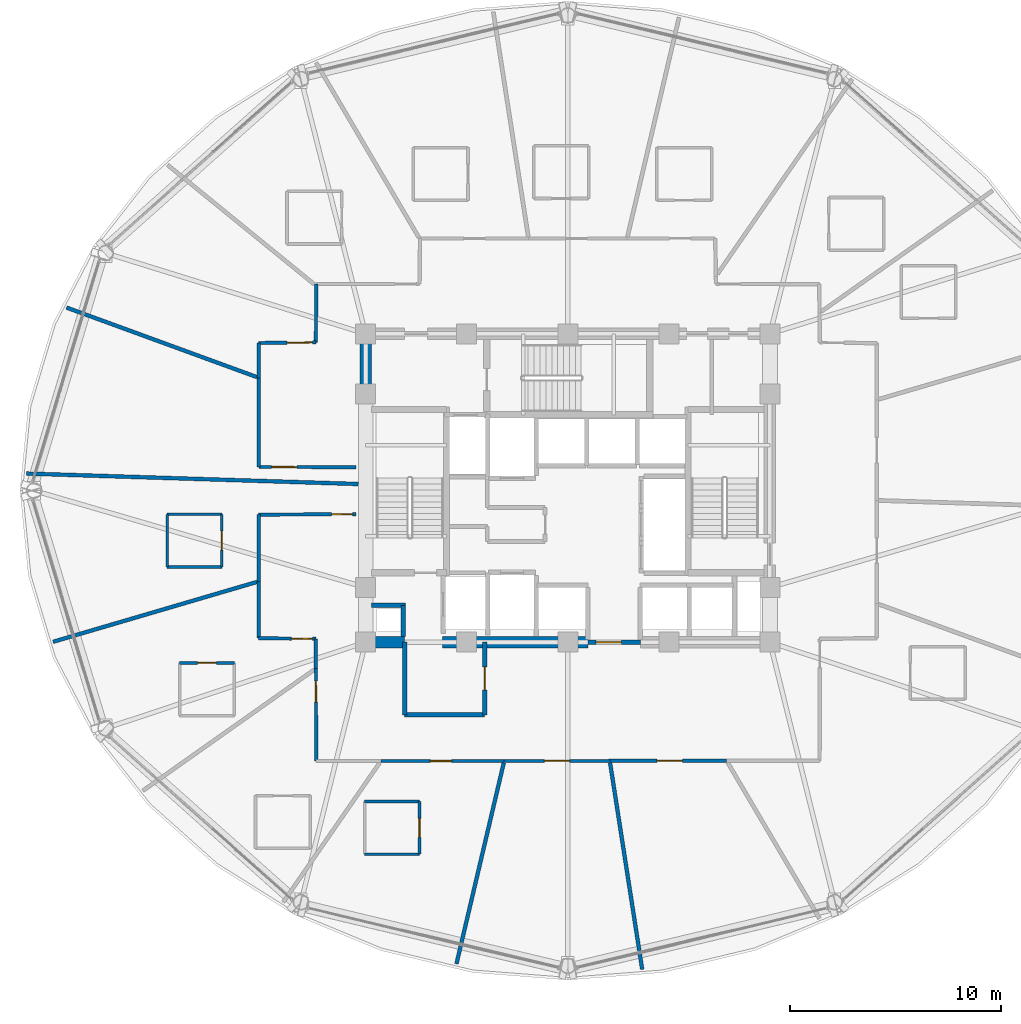
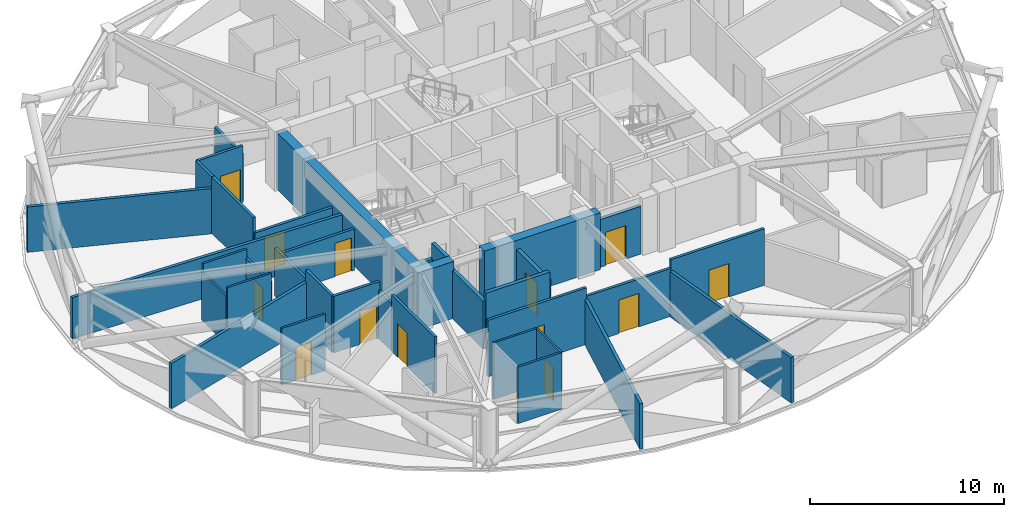
# One storey, part 23 of 30: 36 walls, 13 doors, 13 openings.
"""IFC4 building model written with IfcOpenShell, lengths in metres."""

from ifc_helpers import new_model, si_unit, direction, frame, frame_2d, origin, place, context, subcontext, project, spatial, rectangle, extrude, material, layer, layer_set, type_object, element, fill, save


model = new_model("IFC4")

# Units and contexts
model_context = context("Model", 3, precision=1e-05, world=origin(), true_north=direction((0.0, 1.0)))
body_context = subcontext(model_context, "Body", "Model", "MODEL_VIEW")
ifc_project = project(units=[si_unit("LENGTHUNIT", "METRE"), si_unit("AREAUNIT", "SQUARE_METRE"), si_unit("VOLUMEUNIT", "CUBIC_METRE"), si_unit("PLANEANGLEUNIT", "RADIAN"), si_unit("MASSUNIT", "GRAM", prefix="KILO")], contexts=[model_context])

# Site, building, storey
site_placement = place(None, origin())
site = spatial("IfcSite", under=ifc_project, at=site_placement, CompositionType="ELEMENT")
building_placement = place(site_placement, origin())
building = spatial("IfcBuilding", under=site, at=building_placement, Name="Vantalir Tower", CompositionType="ELEMENT")
storey_placement = place(building_placement, frame((0.0, 0.0, 119.699951171875)))
storey = spatial("IfcBuildingStorey", under=building, at=storey_placement, Name="L29", CompositionType="ELEMENT", Elevation=119.699951171875)

# Walls
ifc_material_1 = material(Name="Moisture-resistant en-suite partition", Category="gypsum")
ifc_layer_1 = layer(ifc_material_1, 0.125)
ifc_layer_set_1 = layer_set([ifc_layer_1], Name="Moisture-resistant en-suite partition")
wall_type_1 = type_object("IfcWallType", Name="WL-BATH-125", PredefinedType="PARTITIONING", material=ifc_layer_set_1)
for number, where, z_axis, x_axis, name in (
    (1, (12.469970703125, 21.3740234375, 0.0), (0.0, 0.0, 1.0), (1.0, 0.0, 0.0), "L29 En-suite 09 South Wall"),
    (2, (12.469970703125, 23.8740234375, 0.0), (0.0, 0.0, 1.0), (1.0, 0.0, 0.0), "L29 En-suite 09 North Wall"),
):
    element("IfcWall", number, at=place(storey_placement, frame(where, z_axis=z_axis, x_axis=x_axis)), inside=storey, type_object=wall_type_1, Name=name, PredefinedType="PARTITIONING", context=body_context, shape_type="SweptSolid", body=[
        extrude(rectangle(XDim=2.60009765625, YDim=0.125, at=frame_2d((1.300048828125, 0.0))), origin(), (0.0, 0.0, 1.0), 3.550048828125),
    ])
wall_1_placement = place(storey_placement, frame((12.469970703125, 21.3740234375, 0.0), z_axis=(0.0, 0.0, 1.0), x_axis=(0.0, 1.0, 0.0)))
element("IfcWall", 3, at=wall_1_placement, inside=storey, type_object=wall_type_1, Name="L29 En-suite 09 West Wall", PredefinedType="PARTITIONING", context=body_context, shape_type="SweptSolid", body=[
    extrude(rectangle(XDim=2.5, YDim=0.125, at=frame_2d((1.25, 0.0))), origin(), (0.0, 0.0, 1.0), 3.006103515625),
])

# Wall, opening, door
wall_2_placement = place(storey_placement, frame((15.070068359375, 21.3740234375, 0.0), z_axis=(0.0, 0.0, 1.0), x_axis=(0.0, 1.0, 0.0)))
wall_2 = element("IfcWall", 4, at=wall_2_placement, inside=storey, type_object=wall_type_1, Name="L29 En-suite 09 East Wall", PredefinedType="PARTITIONING", context=body_context, shape_type="SweptSolid", body=[
    extrude(rectangle(XDim=2.5, YDim=0.125, at=frame_2d((1.25, 0.0))), origin(), (0.0, 0.0, 1.0), 3.006103515625),
])
opening_1_placement = place(wall_2_placement, frame((0.800048828125, 0.0, 0.0)))
opening_1 = element("IfcOpeningElement", 5, at=opening_1_placement, cuts=wall_2, Name="Opening D-WC", PredefinedType="OPENING", context=body_context, shape_type="SweptSolid", body=[
    extrude(rectangle(XDim=0.89990234375, YDim=2.10009765625, at=frame_2d((0.449951171875, 1.050048828125))), frame((0.0, 0.072509765625, 0.0), z_axis=(0.0, -1.0, 0.0), x_axis=(1.0, 0.0, 0.0)), (0.0, 0.0, 1.0), 0.14501953125),
])
ifc_material_2 = material(Name="Moisture-resistant hardwood door", Category="wood")
door_type_1 = type_object("IfcDoorType", Name="DR-ENSUITE-900", OperationType="NOTDEFINED", PredefinedType="DOOR", material=ifc_material_2)
door_1_placement = place(opening_1_placement, origin())
door_1 = element("IfcDoor", 6, at=door_1_placement, inside=storey, type_object=door_type_1, Name="L29 En-suite 09 Door", OperationType="SINGLE_SWING_LEFT", OverallHeight=2.10009765625, OverallWidth=0.89990234375, PredefinedType="DOOR", context=body_context, shape_type="SweptSolid", body=[
    extrude(rectangle(XDim=0.89990234375, YDim=2.10009765625, at=frame_2d((0.449951171875, 1.050048828125))), frame((0.0, 0.02490234375, 0.0), z_axis=(0.0, -1.0, 0.0), x_axis=(1.0, 0.0, 0.0)), (0.0, 0.0, 1.0), 0.050048828125),
])
fill(opening_1, door_1)

wall_3_placement = place(storey_placement, frame((13.06591796875, 16.81689453125, 0.0), z_axis=(0.0, 0.0, 1.0), x_axis=(1.0, 0.0, 0.0)))
wall_3 = element("IfcWall", 7, at=wall_3_placement, inside=storey, type_object=wall_type_1, Name="L29 En-suite 10 North Wall", PredefinedType="PARTITIONING", context=body_context, shape_type="SweptSolid", body=[
    extrude(rectangle(XDim=2.60009765625, YDim=0.125, at=frame_2d((1.300048828125, 0.0))), origin(), (0.0, 0.0, 1.0), 3.550048828125),
])
opening_2_placement = place(wall_3_placement, frame((0.85009765625, 0.0, 0.0)))
opening_2 = element("IfcOpeningElement", 8, at=opening_2_placement, cuts=wall_3, Name="Opening D-WC", PredefinedType="OPENING", context=body_context, shape_type="SweptSolid", body=[
    extrude(rectangle(XDim=0.89990234375, YDim=2.10009765625, at=frame_2d((0.449951171875, 1.050048828125))), frame((0.0, 0.072509765625, 0.0), z_axis=(0.0, -1.0, 0.0), x_axis=(1.0, 0.0, 0.0)), (0.0, 0.0, 1.0), 0.14501953125),
])
door_2_placement = place(opening_2_placement, frame((0.89990234375, 0.0, 0.0), z_axis=(0.0, 0.0, 1.0), x_axis=(-1.0, 0.0, 0.0)))
door_2 = element("IfcDoor", 9, at=door_2_placement, inside=storey, type_object=door_type_1, Name="L29 En-suite 10 Door", OperationType="SINGLE_SWING_RIGHT", OverallHeight=2.10009765625, OverallWidth=0.89990234375, PredefinedType="DOOR", context=body_context, shape_type="SweptSolid", body=[
    extrude(rectangle(XDim=0.89990234375, YDim=2.10009765625, at=frame_2d((0.449951171875, 1.050048828125))), frame((0.0, 0.02490234375, 0.0), z_axis=(0.0, -1.0, 0.0), x_axis=(1.0, 0.0, 0.0)), (0.0, 0.0, 1.0), 0.050048828125),
])
fill(opening_2, door_2)

# Walls
for number, where, z_axis, x_axis, name in (
    (10, (21.85693359375, 7.738037109375, 0.0), (0.0, 0.0, 1.0), (1.0, 0.0, 0.0), "L29 En-suite 12 South Wall"),
    (11, (21.85693359375, 10.238037109375, 0.0), (0.0, 0.0, 1.0), (1.0, 0.0, 0.0), "L29 En-suite 12 North Wall"),
):
    element("IfcWall", number, at=place(storey_placement, frame(where, z_axis=z_axis, x_axis=x_axis)), inside=storey, type_object=wall_type_1, Name=name, PredefinedType="PARTITIONING", context=body_context, shape_type="SweptSolid", body=[
        extrude(rectangle(XDim=2.60009765625, YDim=0.125, at=frame_2d((1.300048828125, 0.0))), origin(), (0.0, 0.0, 1.0), 3.550048828125),
    ])

# Wall, opening, door
wall_4_placement = place(storey_placement, frame((24.45703125, 7.738037109375, 0.0), z_axis=(0.0, 0.0, 1.0), x_axis=(0.0, 1.0, 0.0)))
wall_4 = element("IfcWall", 12, at=wall_4_placement, inside=storey, type_object=wall_type_1, Name="L29 En-suite 12 East Wall", PredefinedType="PARTITIONING", context=body_context, shape_type="SweptSolid", body=[
    extrude(rectangle(XDim=2.5, YDim=0.125, at=frame_2d((1.25, 0.0))), origin(), (0.0, 0.0, 1.0), 3.550048828125),
])
opening_3_placement = place(wall_4_placement, frame((0.800048828125, 0.0, 0.0)))
opening_3 = element("IfcOpeningElement", 13, at=opening_3_placement, cuts=wall_4, Name="Opening D-WC", PredefinedType="OPENING", context=body_context, shape_type="SweptSolid", body=[
    extrude(rectangle(XDim=0.89990234375, YDim=2.10009765625, at=frame_2d((0.449951171875, 1.050048828125))), frame((0.0, 0.072509765625, 0.0), z_axis=(0.0, -1.0, 0.0), x_axis=(1.0, 0.0, 0.0)), (0.0, 0.0, 1.0), 0.14501953125),
])
door_3_placement = place(opening_3_placement, origin())
door_3 = element("IfcDoor", 14, at=door_3_placement, inside=storey, type_object=door_type_1, Name="L29 En-suite 12 Door", OperationType="SINGLE_SWING_RIGHT", OverallHeight=2.10009765625, OverallWidth=0.89990234375, PredefinedType="DOOR", context=body_context, shape_type="SweptSolid", body=[
    extrude(rectangle(XDim=0.89990234375, YDim=2.10009765625, at=frame_2d((0.449951171875, 1.050048828125))), frame((0.0, 0.02490234375, 0.0), z_axis=(0.0, -1.0, 0.0), x_axis=(1.0, 0.0, 0.0)), (0.0, 0.0, 1.0), 0.050048828125),
])
fill(opening_3, door_3)

# Walls
ifc_material_3 = material(Name="Concrete C60/75", Category="concrete")
ifc_layer_2 = layer(ifc_material_3, 0.550048828125)
ifc_layer_set_2 = layer_set([ifc_layer_2], Name="Concrete C60/75")
wall_type_2 = type_object("IfcWallType", Name="WL-CORE-550", PredefinedType="SHEAR", material=ifc_layer_set_2)
wall_5_placement = place(storey_placement, frame((21.625, 17.800048828125, 0.0), z_axis=(0.0, 0.0, 1.0), x_axis=(1.0, 0.0, 0.0)))
element("IfcWall", 15, at=wall_5_placement, inside=storey, type_object=wall_type_2, Name="L29 Core Shear Wall South-West", PredefinedType="SHEAR", context=body_context, shape_type="SweptSolid", body=[
    extrude(rectangle(XDim=2.125, YDim=0.550048828125, at=frame_2d((1.0625, 0.0))), origin(), (0.0, 0.0, 1.0), 3.570068359375),
])
wall_6_placement = place(storey_placement, frame((25.550048828125, 17.800048828125, 0.0), z_axis=(0.0, 0.0, 1.0), x_axis=(1.0, 0.0, 0.0)))
element("IfcWall", 16, at=wall_6_placement, inside=storey, type_object=wall_type_2, Name="L29 Core Shear Wall South-Mid", PredefinedType="SHEAR", context=body_context, shape_type="SweptSolid", body=[
    extrude(rectangle(XDim=6.89990234375, YDim=0.550048828125, at=frame_2d((3.449951171875, 0.0))), origin(), (0.0, 0.0, 1.0), 3.570068359375),
])
wall_7_placement = place(storey_placement, frame((21.89990234375, 18.074951171875, 0.0), z_axis=(0.0, 0.0, 1.0), x_axis=(0.0, 1.0, 0.0)))
element("IfcWall", 17, at=wall_7_placement, inside=storey, type_object=wall_type_2, Name="L29 Core Shear Wall West", PredefinedType="SHEAR", context=body_context, shape_type="SweptSolid", body=[
    extrude(rectangle(XDim=14.10009765625, YDim=0.550048828125, at=frame_2d((7.050048828125, 0.0))), origin(), (0.0, 0.0, 1.0), 3.570068359375),
])

# Wall, opening, door
ifc_material_4 = material(Name="Fire-rated hotel corridor acoustic partition", Category="gypsum")
ifc_layer_3 = layer(ifc_material_4, 0.159912109375)
ifc_layer_set_3 = layer_set([ifc_layer_3], Name="Fire-rated hotel corridor acoustic partition")
wall_type_3 = type_object("IfcWallType", Name="WL-CORR-160", PredefinedType="PARTITIONING", material=ifc_layer_set_3)
wall_8_placement = place(storey_placement, frame((21.445068359375, 26.114990234375, 0.0), z_axis=(0.0, 0.0, 1.0), x_axis=(-0.999997648793, 0.002168503919, 0.0)))
wall_8 = element("IfcWall", 18, at=wall_8_placement, inside=storey, type_object=wall_type_3, Name="L29 Corridor Partition 01", PredefinedType="PARTITIONING", context=body_context, shape_type="SweptSolid", body=[
    extrude(rectangle(XDim=4.615966796875, YDim=0.159912109375, at=frame_2d((2.30810546875, 0.0))), origin(), (0.0, 0.0, 1.0), 2.594970703125),
])
opening_4_placement = place(wall_8_placement, frame((2.81396484375, 0.0, 0.0)))
opening_4 = element("IfcOpeningElement", 19, at=opening_4_placement, cuts=wall_8, Name="Opening D-STE", PredefinedType="OPENING", context=body_context, shape_type="SweptSolid", body=[
    extrude(rectangle(XDim=1.199951171875, YDim=2.10009765625, at=frame_2d((0.60009765625, 1.050048828125))), frame((0.0, 0.08984375, 0.0), z_axis=(0.0, -1.0, 0.0), x_axis=(1.0, 0.0, 0.0)), (0.0, 0.0, 1.0), 0.179931640625),
])
ifc_material_5 = material(Name="Solid-core teak veneer suite entrance door", Category="wood")
door_type_2 = type_object("IfcDoorType", Name="DR-SUITE-ENTRY-1200", OperationType="NOTDEFINED", PredefinedType="DOOR", material=ifc_material_5)
door_4_placement = place(opening_4_placement, origin())
door_4 = element("IfcDoor", 20, at=door_4_placement, inside=storey, type_object=door_type_2, Name="L29 Executive Sky Boardroom 08 Door", OperationType="SINGLE_SWING_RIGHT", OverallHeight=2.10009765625, OverallWidth=1.199951171875, PredefinedType="DOOR", context=body_context, shape_type="SweptSolid", body=[
    extrude(rectangle(XDim=1.199951171875, YDim=2.10009765625, at=frame_2d((0.60009765625, 1.050048828125))), frame((0.0, 0.02490234375, 0.0), z_axis=(0.0, -1.0, 0.0), x_axis=(1.0, 0.0, 0.0)), (0.0, 0.0, 1.0), 0.050048828125),
])
fill(opening_4, door_4)

# Walls
wall_9_placement = place(storey_placement, frame((16.8291015625, 26.125, 0.0), z_axis=(0.0, 0.0, 1.0), x_axis=(-0.001210583076, 0.999999267244, 0.0)))
element("IfcWall", 21, at=wall_9_placement, inside=storey, type_object=wall_type_3, Name="L29 Corridor Partition 02", PredefinedType="PARTITIONING", context=body_context, shape_type="SweptSolid", body=[
    extrude(rectangle(XDim=4.235107421875, YDim=0.159912109375, at=frame_2d((2.11767578125, 0.0))), origin(), (0.0, 0.0, 1.0), 3.550048828125),
])
wall_10_placement = place(storey_placement, frame((16.823974609375, 30.360107421875, 0.0), z_axis=(0.0, 0.0, 1.0), x_axis=(-0.001182381674, 0.999999300987, 0.0)))
element("IfcWall", 22, at=wall_10_placement, inside=storey, type_object=wall_type_3, Name="L29 Corridor Partition 03", PredefinedType="PARTITIONING", context=body_context, shape_type="SweptSolid", body=[
    extrude(rectangle(XDim=1.65185546875, YDim=0.159912109375, at=frame_2d((0.825927734375, 0.0))), origin(), (0.0, 0.0, 1.0), 3.550048828125),
])

# Wall, opening, door
wall_11_placement = place(storey_placement, frame((16.822021484375, 32.011962890625, 0.0), z_axis=(0.0, 0.0, 1.0), x_axis=(0.99994645162, 0.010348617885, 0.0)))
wall_11 = element("IfcWall", 23, at=wall_11_placement, inside=storey, type_object=wall_type_3, Name="L29 Corridor Partition 04", PredefinedType="PARTITIONING", context=body_context, shape_type="SweptSolid", body=[
    extrude(rectangle(XDim=2.713134765625, YDim=0.159912109375, at=frame_2d((1.3564453125, 0.0))), origin(), (0.0, 0.0, 1.0), 3.550048828125),
])
opening_5_placement = place(wall_11_placement, frame((1.35302734375, 0.0, 0.0)))
opening_5 = element("IfcOpeningElement", 24, at=opening_5_placement, cuts=wall_11, Name="Opening D-STE", PredefinedType="OPENING", context=body_context, shape_type="SweptSolid", body=[
    extrude(rectangle(XDim=1.199951171875, YDim=2.10009765625, at=frame_2d((0.60009765625, 1.050048828125))), frame((0.0, 0.08984375, 0.0), z_axis=(0.0, -1.0, 0.0), x_axis=(1.0, 0.0, 0.0)), (0.0, 0.0, 1.0), 0.179931640625),
])
door_5_placement = place(opening_5_placement, origin())
door_5 = element("IfcDoor", 25, at=door_5_placement, inside=storey, type_object=door_type_2, Name="L29 Club Reading Lounge 07 Door", OperationType="SINGLE_SWING_LEFT", OverallHeight=2.10009765625, OverallWidth=1.199951171875, PredefinedType="DOOR", context=body_context, shape_type="SweptSolid", body=[
    extrude(rectangle(XDim=1.199951171875, YDim=2.10009765625, at=frame_2d((0.60009765625, 1.050048828125))), frame((0.0, 0.02490234375, 0.0), z_axis=(0.0, -1.0, 0.0), x_axis=(1.0, 0.0, 0.0)), (0.0, 0.0, 1.0), 0.050048828125),
])
fill(opening_5, door_5)

# Wall
wall_12_placement = place(storey_placement, frame((19.534912109375, 32.0400390625, 0.0), z_axis=(0.0, 0.0, 1.0), x_axis=(0.009071319538, 0.999958854734, 0.0)))
element("IfcWall", 26, at=wall_12_placement, inside=storey, type_object=wall_type_3, Name="L29 Corridor Partition 05", PredefinedType="PARTITIONING", context=body_context, shape_type="SweptSolid", body=[
    extrude(rectangle(XDim=2.77197265625, YDim=0.159912109375, at=frame_2d((1.385986328125, 0.0))), origin(), (0.0, 0.0, 1.0), 3.006103515625),
])

# Wall, opening, door
wall_13_placement = place(storey_placement, frame((39.049072265625, 12.166015625, 0.0), z_axis=(0.0, 0.0, 1.0), x_axis=(-0.999999860825, -0.000527588408, 0.0)))
wall_13 = element("IfcWall", 27, at=wall_13_placement, inside=storey, type_object=wall_type_3, Name="L29 Corridor Partition 24", PredefinedType="PARTITIONING", context=body_context, shape_type="SweptSolid", body=[
    extrude(rectangle(XDim=5.552978515625, YDim=0.159912109375, at=frame_2d((2.7763671875, 0.0))), origin(), (0.0, 0.0, 1.0), 3.550048828125),
])
opening_6_placement = place(wall_13_placement, frame((2.10205078125, 0.0, 0.0)))
opening_6 = element("IfcOpeningElement", 28, at=opening_6_placement, cuts=wall_13, Name="Opening D-STE", PredefinedType="OPENING", context=body_context, shape_type="SweptSolid", body=[
    extrude(rectangle(XDim=1.199951171875, YDim=2.10009765625, at=frame_2d((0.60009765625, 1.050048828125))), frame((0.0, 0.08984375, 0.0), z_axis=(0.0, -1.0, 0.0), x_axis=(1.0, 0.0, 0.0)), (0.0, 0.0, 1.0), 0.179931640625),
])
door_6_placement = place(opening_6_placement, origin())
door_6 = element("IfcDoor", 29, at=door_6_placement, inside=storey, type_object=door_type_2, Name="L29 Executive Sky Boardroom 14 Door", OperationType="SINGLE_SWING_RIGHT", OverallHeight=2.10009765625, OverallWidth=1.199951171875, PredefinedType="DOOR", context=body_context, shape_type="SweptSolid", body=[
    extrude(rectangle(XDim=1.199951171875, YDim=2.10009765625, at=frame_2d((0.60009765625, 1.050048828125))), frame((0.0, 0.02490234375, 0.0), z_axis=(0.0, -1.0, 0.0), x_axis=(1.0, 0.0, 0.0)), (0.0, 0.0, 1.0), 0.050048828125),
])
fill(opening_6, door_6)

wall_14_placement = place(storey_placement, frame((33.49609375, 12.1630859375, 0.0), z_axis=(0.0, 0.0, 1.0), x_axis=(-0.999999904022, -0.000438126723, 0.0)))
wall_14 = element("IfcWall", 30, at=wall_14_placement, inside=storey, type_object=wall_type_3, Name="L29 Corridor Partition 25", PredefinedType="PARTITIONING", context=body_context, shape_type="SweptSolid", body=[
    extrude(rectangle(XDim=5.01513671875, YDim=0.159912109375, at=frame_2d((2.507568359375, 0.0))), origin(), (0.0, 0.0, 1.0), 3.006103515625),
])
opening_7_placement = place(wall_14_placement, frame((1.907958984375, 0.0, 0.0)))
opening_7 = element("IfcOpeningElement", 31, at=opening_7_placement, cuts=wall_14, Name="Opening D-STE", PredefinedType="OPENING", context=body_context, shape_type="SweptSolid", body=[
    extrude(rectangle(XDim=1.199951171875, YDim=2.10009765625, at=frame_2d((0.60009765625, 1.050048828125))), frame((0.0, 0.08984375, 0.0), z_axis=(0.0, -1.0, 0.0), x_axis=(1.0, 0.0, 0.0)), (0.0, 0.0, 1.0), 0.179931640625),
])
door_7_placement = place(opening_7_placement, origin())
door_7 = element("IfcDoor", 32, at=door_7_placement, inside=storey, type_object=door_type_2, Name="L29 Club Reading Lounge 13 Door", OperationType="SINGLE_SWING_LEFT", OverallHeight=2.10009765625, OverallWidth=1.199951171875, PredefinedType="DOOR", context=body_context, shape_type="SweptSolid", body=[
    extrude(rectangle(XDim=1.199951171875, YDim=2.10009765625, at=frame_2d((0.60009765625, 1.050048828125))), frame((0.0, 0.02490234375, 0.0), z_axis=(0.0, -1.0, 0.0), x_axis=(1.0, 0.0, 0.0)), (0.0, 0.0, 1.0), 0.050048828125),
])
fill(opening_7, door_7)

wall_15_placement = place(storey_placement, frame((28.48095703125, 12.160888671875, 0.0), z_axis=(0.0, 0.0, 1.0), x_axis=(-0.999999874896, -0.000500208358, 0.0)))
wall_15 = element("IfcWall", 33, at=wall_15_placement, inside=storey, type_object=wall_type_3, Name="L29 Corridor Partition 26", PredefinedType="PARTITIONING", context=body_context, shape_type="SweptSolid", body=[
    extrude(rectangle(XDim=5.85693359375, YDim=0.159912109375, at=frame_2d((2.928466796875, 0.0))), origin(), (0.0, 0.0, 1.0), 3.550048828125),
])
opening_8_placement = place(wall_15_placement, frame((2.501953125, 0.0, 0.0)))
opening_8 = element("IfcOpeningElement", 34, at=opening_8_placement, cuts=wall_15, Name="Opening D-GUEST", PredefinedType="OPENING", context=body_context, shape_type="SweptSolid", body=[
    extrude(rectangle(XDim=1.0, YDim=2.10009765625, at=frame_2d((0.5, 1.050048828125))), frame((0.0, 0.08984375, 0.0), z_axis=(0.0, -1.0, 0.0), x_axis=(1.0, 0.0, 0.0)), (0.0, 0.0, 1.0), 0.179931640625),
])
ifc_material_6 = material(Name="Solid-core teak veneer acoustic fire door", Category="wood")
door_type_3 = type_object("IfcDoorType", Name="DR-GUEST-ENTRY-1000", OperationType="NOTDEFINED", PredefinedType="DOOR", material=ifc_material_6)
door_8_placement = place(opening_8_placement, origin())
door_8 = element("IfcDoor", 35, at=door_8_placement, inside=storey, type_object=door_type_3, Name="L29 Twin Queen Hotel Room 12 Door", OperationType="SINGLE_SWING_RIGHT", OverallHeight=2.10009765625, OverallWidth=1.0, PredefinedType="DOOR", context=body_context, shape_type="SweptSolid", body=[
    extrude(rectangle(XDim=1.0, YDim=2.10009765625, at=frame_2d((0.5, 1.050048828125))), frame((0.0, 0.02490234375, 0.0), z_axis=(0.0, -1.0, 0.0), x_axis=(1.0, 0.0, 0.0)), (0.0, 0.0, 1.0), 0.050048828125),
])
fill(opening_8, door_8)

wall_16_placement = place(storey_placement, frame((19.552978515625, 12.156982421875, 0.0), z_axis=(0.0, 0.0, 1.0), x_axis=(-0.003166298982, 0.999994987263, 0.0)))
wall_16 = element("IfcWall", 36, at=wall_16_placement, inside=storey, type_object=wall_type_3, Name="L29 Corridor Partition 28", PredefinedType="PARTITIONING", context=body_context, shape_type="SweptSolid", body=[
    extrude(rectangle(XDim=4.39501953125, YDim=0.159912109375, at=frame_2d((2.197509765625, 0.0))), origin(), (0.0, 0.0, 1.0), 3.550048828125),
])
opening_9_placement = place(wall_16_placement, frame((2.7958984375, 0.0, 0.0)))
opening_9 = element("IfcOpeningElement", 37, at=opening_9_placement, cuts=wall_16, Name="Opening D-GUEST", PredefinedType="OPENING", context=body_context, shape_type="SweptSolid", body=[
    extrude(rectangle(XDim=1.0, YDim=2.10009765625, at=frame_2d((0.5, 1.050048828125))), frame((0.0, 0.08984375, 0.0), z_axis=(0.0, -1.0, 0.0), x_axis=(1.0, 0.0, 0.0)), (0.0, 0.0, 1.0), 0.179931640625),
])
door_9_placement = place(opening_9_placement, origin())
door_9 = element("IfcDoor", 38, at=door_9_placement, inside=storey, type_object=door_type_3, Name="L29 Deluxe King Hotel Room 11 Door", OperationType="SINGLE_SWING_LEFT", OverallHeight=2.10009765625, OverallWidth=1.0, PredefinedType="DOOR", context=body_context, shape_type="SweptSolid", body=[
    extrude(rectangle(XDim=1.0, YDim=2.10009765625, at=frame_2d((0.5, 1.050048828125))), frame((0.0, 0.02490234375, 0.0), z_axis=(0.0, -1.0, 0.0), x_axis=(1.0, 0.0, 0.0)), (0.0, 0.0, 1.0), 0.050048828125),
])
fill(opening_9, door_9)

# Wall
wall_17_placement = place(storey_placement, frame((19.5390625, 16.552001953125, 0.0), z_axis=(0.0, 0.0, 1.0), x_axis=(-0.002947793678, 0.999995655247, 0.0)))
element("IfcWall", 39, at=wall_17_placement, inside=storey, type_object=wall_type_3, Name="L29 Corridor Partition 29", PredefinedType="PARTITIONING", context=body_context, shape_type="SweptSolid", body=[
    extrude(rectangle(XDim=1.407958984375, YDim=0.159912109375, at=frame_2d((0.7041015625, 0.0))), origin(), (0.0, 0.0, 1.0), 3.006103515625),
])

# Wall, opening, door
wall_18_placement = place(storey_placement, frame((19.534912109375, 17.9599609375, 0.0), z_axis=(0.0, 0.0, 1.0), x_axis=(-0.999930566304, 0.011783996418, 0.0)))
wall_18 = element("IfcWall", 40, at=wall_18_placement, inside=storey, type_object=wall_type_3, Name="L29 Corridor Partition 30", PredefinedType="PARTITIONING", context=body_context, shape_type="SweptSolid", body=[
    extrude(rectangle(XDim=2.714111328125, YDim=0.159912109375, at=frame_2d((1.35693359375, 0.0))), origin(), (0.0, 0.0, 1.0), 3.550048828125),
])
opening_10_placement = place(wall_18_placement, frame((0.159912109375, 0.0, 0.0)))
opening_10 = element("IfcOpeningElement", 41, at=opening_10_placement, cuts=wall_18, Name="Opening D-GUEST", PredefinedType="OPENING", context=body_context, shape_type="SweptSolid", body=[
    extrude(rectangle(XDim=1.0, YDim=2.10009765625, at=frame_2d((0.5, 1.050048828125))), frame((0.0, 0.08984375, 0.0), z_axis=(0.0, -1.0, 0.0), x_axis=(1.0, 0.0, 0.0)), (0.0, 0.0, 1.0), 0.179931640625),
])
door_10_placement = place(opening_10_placement, origin())
door_10 = element("IfcDoor", 42, at=door_10_placement, inside=storey, type_object=door_type_3, Name="L29 Deluxe King Hotel Room 10 Door", OperationType="SINGLE_SWING_RIGHT", OverallHeight=2.10009765625, OverallWidth=1.0, PredefinedType="DOOR", context=body_context, shape_type="SweptSolid", body=[
    extrude(rectangle(XDim=1.0, YDim=2.10009765625, at=frame_2d((0.5, 1.050048828125))), frame((0.0, 0.02490234375, 0.0), z_axis=(0.0, -1.0, 0.0), x_axis=(1.0, 0.0, 0.0)), (0.0, 0.0, 1.0), 0.050048828125),
])
fill(opening_10, door_10)

# Walls
wall_19_placement = place(storey_placement, frame((16.821044921875, 17.991943359375, 0.0), z_axis=(0.0, 0.0, 1.0), x_axis=(0.0, 1.0, 0.0)))
element("IfcWall", 43, at=wall_19_placement, inside=storey, type_object=wall_type_3, Name="L29 Corridor Partition 31", PredefinedType="PARTITIONING", context=body_context, shape_type="SweptSolid", body=[
    extrude(rectangle(XDim=2.697021484375, YDim=0.159912109375, at=frame_2d((1.3486328125, 0.0))), origin(), (0.0, 0.0, 1.0), 3.550048828125),
])
wall_20_placement = place(storey_placement, frame((16.821044921875, 20.68896484375, 0.0), z_axis=(0.0, 0.0, 1.0), x_axis=(0.0, 1.0, 0.0)))
element("IfcWall", 44, at=wall_20_placement, inside=storey, type_object=wall_type_3, Name="L29 Corridor Partition 32", PredefinedType="PARTITIONING", context=body_context, shape_type="SweptSolid", body=[
    extrude(rectangle(XDim=3.1689453125, YDim=0.159912109375, at=frame_2d((1.58447265625, 0.0))), origin(), (0.0, 0.0, 1.0), 3.006103515625),
])

# Wall, opening, door
wall_21_placement = place(storey_placement, frame((16.821044921875, 23.85791015625, 0.0), z_axis=(0.0, 0.0, 1.0), x_axis=(0.999984042413, 0.005649329067, 0.0)))
wall_21 = element("IfcWall", 45, at=wall_21_placement, inside=storey, type_object=wall_type_3, Name="L29 Corridor Partition 33", PredefinedType="PARTITIONING", context=body_context, shape_type="SweptSolid", body=[
    extrude(rectangle(XDim=4.6240234375, YDim=0.159912109375, at=frame_2d((2.31201171875, 0.0))), origin(), (0.0, 0.0, 1.0), 2.594970703125),
])
opening_11_placement = place(wall_21_placement, frame((3.464111328125, 0.0, 0.0)))
opening_11 = element("IfcOpeningElement", 46, at=opening_11_placement, cuts=wall_21, Name="Opening D-GUEST", PredefinedType="OPENING", context=body_context, shape_type="SweptSolid", body=[
    extrude(rectangle(XDim=1.0, YDim=2.10009765625, at=frame_2d((0.5, 1.050048828125))), frame((0.0, 0.08984375, 0.0), z_axis=(0.0, -1.0, 0.0), x_axis=(1.0, 0.0, 0.0)), (0.0, 0.0, 1.0), 0.179931640625),
])
door_11_placement = place(opening_11_placement, origin())
door_11 = element("IfcDoor", 47, at=door_11_placement, inside=storey, type_object=door_type_3, Name="L29 Twin Queen Hotel Room 09 Door", OperationType="SINGLE_SWING_LEFT", OverallHeight=2.10009765625, OverallWidth=1.0, PredefinedType="DOOR", context=body_context, shape_type="SweptSolid", body=[
    extrude(rectangle(XDim=1.0, YDim=2.10009765625, at=frame_2d((0.5, 1.050048828125))), frame((0.0, 0.02490234375, 0.0), z_axis=(0.0, -1.0, 0.0), x_axis=(1.0, 0.0, 0.0)), (0.0, 0.0, 1.0), 0.050048828125),
])
fill(opening_11, door_11)

ifc_material_7 = material(Name="Concrete blockwork with fireboard lining", Category="masonry")
ifc_layer_4 = layer(ifc_material_7, 0.219970703125)
ifc_layer_set_4 = layer_set([ifc_layer_4], Name="Concrete blockwork with fireboard lining")
wall_type_4 = type_object("IfcWallType", Name="WL-FFL-220", PredefinedType="PARTITIONING", material=ifc_layer_set_4)
wall_22_placement = place(storey_placement, frame((32.449951171875, 17.800048828125, 0.0), z_axis=(0.0, 0.0, 1.0), x_axis=(1.0, 0.0, 0.0)))
wall_22 = element("IfcWall", 48, at=wall_22_placement, inside=storey, type_object=wall_type_4, Name="L29 Passenger Lift Lobby South Wall", PredefinedType="PARTITIONING", context=body_context, shape_type="SweptSolid", body=[
    extrude(rectangle(XDim=2.5, YDim=0.219970703125, at=frame_2d((1.25, 0.0))), origin(), (0.0, 0.0, 1.0), 3.006103515625),
])
opening_12_placement = place(wall_22_placement, frame((0.39990234375, 0.0, 0.0)))
opening_12 = element("IfcOpeningElement", 49, at=opening_12_placement, cuts=wall_22, Name="Opening D-STE", PredefinedType="OPENING", context=body_context, shape_type="SweptSolid", body=[
    extrude(rectangle(XDim=1.199951171875, YDim=2.10009765625, at=frame_2d((0.60009765625, 1.050048828125))), frame((0.0, 0.119873046875, 0.0), z_axis=(0.0, -1.0, 0.0), x_axis=(1.0, 0.0, 0.0)), (0.0, 0.0, 1.0), 0.239990234375),
])
door_12_placement = place(opening_12_placement, origin())
door_12 = element("IfcDoor", 50, at=door_12_placement, inside=storey, type_object=door_type_2, Name="L29 Passenger Lift Lobby Concourse Door", OperationType="SINGLE_SWING_RIGHT", OverallHeight=2.10009765625, OverallWidth=1.199951171875, PredefinedType="DOOR", context=body_context, shape_type="SweptSolid", body=[
    extrude(rectangle(XDim=1.199951171875, YDim=2.10009765625, at=frame_2d((0.60009765625, 1.050048828125))), frame((0.0, 0.02490234375, 0.0), z_axis=(0.0, -1.0, 0.0), x_axis=(1.0, 0.0, 0.0)), (0.0, 0.0, 1.0), 0.050048828125),
])
fill(opening_12, door_12)

# Walls
wall_23_placement = place(storey_placement, frame((23.679931640625, 18.074951171875, 0.0), z_axis=(0.0, 0.0, 1.0), x_axis=(0.0, 1.0, 0.0)))
element("IfcWall", 51, at=wall_23_placement, inside=storey, type_object=wall_type_4, Name="L29 West MEP Riser Wall E", PredefinedType="PARTITIONING", context=body_context, shape_type="SweptSolid", body=[
    extrude(rectangle(XDim=1.47509765625, YDim=0.219970703125, at=frame_2d((0.737548828125, 0.0))), origin(), (0.0, 0.0, 1.0), 3.550048828125),
])
wall_24_placement = place(storey_placement, frame((22.175048828125, 19.550048828125, 0.0), z_axis=(0.0, 0.0, 1.0), x_axis=(1.0, 0.0, 0.0)))
element("IfcWall", 52, at=wall_24_placement, inside=storey, type_object=wall_type_4, Name="L29 West MEP Riser Wall N", PredefinedType="PARTITIONING", context=body_context, shape_type="SweptSolid", body=[
    extrude(rectangle(XDim=1.614990234375, YDim=0.219970703125, at=frame_2d((0.8076171875, 0.0))), origin(), (0.0, 0.0, 1.0), 2.594970703125),
])
wall_25_placement = place(storey_placement, frame((23.75, 14.35009765625, 0.0), z_axis=(0.0, 0.0, 1.0), x_axis=(0.0, 1.0, 0.0)))
element("IfcWall", 53, at=wall_25_placement, inside=storey, type_object=wall_type_4, Name="L29 Firefighting Lobby West Outer W", PredefinedType="PARTITIONING", context=body_context, shape_type="SweptSolid", body=[
    extrude(rectangle(XDim=3.449951171875, YDim=0.219970703125, at=frame_2d((1.72509765625, 0.0))), origin(), (0.0, 0.0, 1.0), 3.006103515625),
])
wall_26_placement = place(storey_placement, frame((23.75, 14.35009765625, 0.0), z_axis=(0.0, 0.0, 1.0), x_axis=(1.0, 0.0, 0.0)))
element("IfcWall", 54, at=wall_26_placement, inside=storey, type_object=wall_type_4, Name="L29 Firefighting Lobby West South Wall", PredefinedType="PARTITIONING", context=body_context, shape_type="SweptSolid", body=[
    extrude(rectangle(XDim=3.800048828125, YDim=0.219970703125, at=frame_2d((1.89990234375, 0.0))), origin(), (0.0, 0.0, 1.0), 3.550048828125),
])

# Wall, opening, door
wall_27_placement = place(storey_placement, frame((27.550048828125, 14.35009765625, 0.0), z_axis=(0.0, 0.0, 1.0), x_axis=(0.0, 1.0, 0.0)))
wall_27 = element("IfcWall", 55, at=wall_27_placement, inside=storey, type_object=wall_type_4, Name="L29 Firefighting Lobby West East Wall", PredefinedType="PARTITIONING", context=body_context, shape_type="SweptSolid", body=[
    extrude(rectangle(XDim=3.449951171875, YDim=0.219970703125, at=frame_2d((1.72509765625, 0.0))), origin(), (0.0, 0.0, 1.0), 3.006103515625),
])
opening_13_placement = place(wall_27_placement, frame((1.175048828125, 0.0, 0.0)))
opening_13 = element("IfcOpeningElement", 56, at=opening_13_placement, cuts=wall_27, Name="Opening D-FFL", PredefinedType="OPENING", context=body_context, shape_type="SweptSolid", body=[
    extrude(rectangle(XDim=1.10009765625, YDim=2.10009765625, at=frame_2d((0.550048828125, 1.050048828125))), frame((0.0, 0.119873046875, 0.0), z_axis=(0.0, -1.0, 0.0), x_axis=(1.0, 0.0, 0.0)), (0.0, 0.0, 1.0), 0.239990234375),
])
ifc_material_8 = material(Name="Fire-rated acoustic steel door", Category="steel")
door_type_4 = type_object("IfcDoorType", Name="DR-FIRE-LOBBY-1100", OperationType="NOTDEFINED", PredefinedType="DOOR", material=ifc_material_8)
door_13_placement = place(opening_13_placement, origin())
door_13 = element("IfcDoor", 57, at=door_13_placement, inside=storey, type_object=door_type_4, Name="L29 Firefighting Lobby West Access Door", OperationType="SINGLE_SWING_RIGHT", OverallHeight=2.10009765625, OverallWidth=1.10009765625, PredefinedType="DOOR", context=body_context, shape_type="SweptSolid", body=[
    extrude(rectangle(XDim=1.10009765625, YDim=2.10009765625, at=frame_2d((0.550048828125, 1.050048828125))), frame((0.0, 0.02490234375, 0.0), z_axis=(0.0, -1.0, 0.0), x_axis=(1.0, 0.0, 0.0)), (0.0, 0.0, 1.0), 0.050048828125),
])
fill(opening_13, door_13)

# Walls
ifc_material_9 = material(Name="Twin-stud acoustic fire-rated gypsum partition", Category="gypsum")
ifc_layer_5 = layer(ifc_material_9, 0.179931640625)
ifc_layer_set_5 = layer_set([ifc_layer_5], Name="Twin-stud acoustic fire-rated gypsum partition")
wall_type_5 = type_object("IfcWallType", Name="WL-GUEST-180", PredefinedType="PARTITIONING", material=ifc_layer_set_5)
wall_28_placement = place(storey_placement, frame((16.7451171875, 30.388916015625, 0.0), z_axis=(0.0, 0.0, 1.0), x_axis=(-0.939305605138, 0.34308159402, 0.0)))
element("IfcWall", 58, at=wall_28_placement, inside=storey, type_object=wall_type_5, Name="L29 Radial Suite Partition 08", PredefinedType="PARTITIONING", context=body_context, shape_type="SweptSolid", body=[
    extrude(rectangle(XDim=9.6337890625, YDim=0.179931640625, at=frame_2d((4.81689453125, 0.0))), origin(), (0.0, 0.0, 1.0), 2.85107421875),
])
wall_29_placement = place(storey_placement, frame((21.550048828125, 25.31396484375, 0.0), z_axis=(0.0, 0.0, 1.0), x_axis=(-0.999502985772, 0.031524299088, 0.0)))
element("IfcWall", 59, at=wall_29_placement, inside=storey, type_object=wall_type_5, Name="L29 Radial Suite Partition 09", PredefinedType="PARTITIONING", context=body_context, shape_type="SweptSolid", body=[
    extrude(rectangle(XDim=15.767822265625, YDim=0.179931640625, at=frame_2d((7.8837890625, 0.0))), origin(), (0.0, 0.0, 1.0), 2.594970703125),
])
wall_30_placement = place(storey_placement, frame((16.7451171875, 20.666015625, 0.0), z_axis=(0.0, 0.0, 1.0), x_axis=(-0.959486307389, -0.281755258927, 0.0)))
element("IfcWall", 60, at=wall_30_placement, inside=storey, type_object=wall_type_5, Name="L29 Radial Suite Partition 10", PredefinedType="PARTITIONING", context=body_context, shape_type="SweptSolid", body=[
    extrude(rectangle(XDim=10.097412109375, YDim=0.179931640625, at=frame_2d((5.048828125, 0.0))), origin(), (0.0, 0.0, 1.0), 2.85107421875),
])
wall_31_placement = place(storey_placement, frame((28.4609375, 12.074951171875, 0.0), z_axis=(0.0, 0.0, 1.0), x_axis=(-0.228971352458, -0.973433161421, 0.0)))
element("IfcWall", 61, at=wall_31_placement, inside=storey, type_object=wall_type_5, Name="L29 Radial Suite Partition 13", PredefinedType="PARTITIONING", context=body_context, shape_type="SweptSolid", body=[
    extrude(rectangle(XDim=9.808349609375, YDim=0.179931640625, at=frame_2d((4.904296875, 0.0))), origin(), (0.0, 0.0, 1.0), 2.85107421875),
])
wall_32_placement = place(storey_placement, frame((33.510009765625, 12.074951171875, 0.0), z_axis=(0.0, 0.0, 1.0), x_axis=(0.153619544755, -0.988130070117, 0.0)))
element("IfcWall", 62, at=wall_32_placement, inside=storey, type_object=wall_type_5, Name="L29 Radial Suite Partition 14", PredefinedType="PARTITIONING", context=body_context, shape_type="SweptSolid", body=[
    extrude(rectangle(XDim=9.932861328125, YDim=0.179931640625, at=frame_2d((4.96630859375, 0.0))), origin(), (0.0, 0.0, 1.0), 2.85107421875),
])

save(model, "model.ifc")
